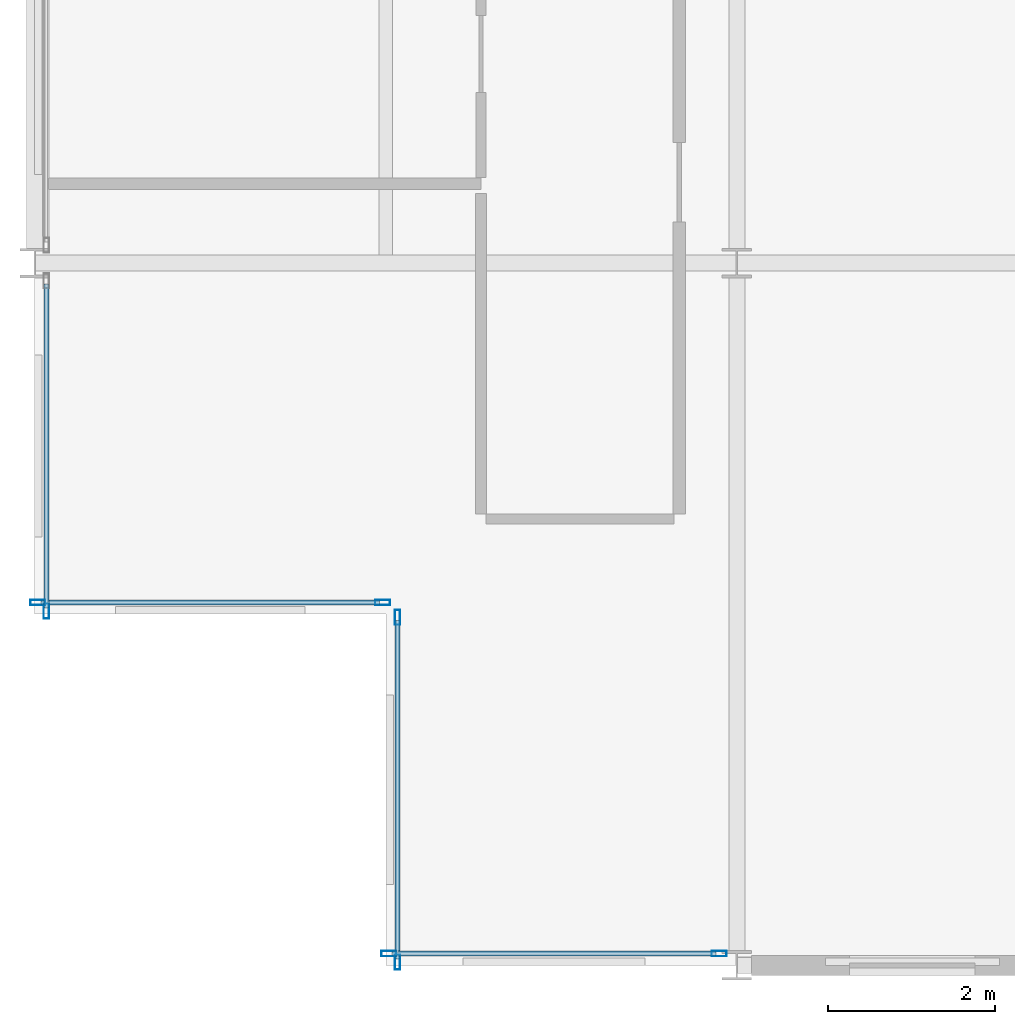
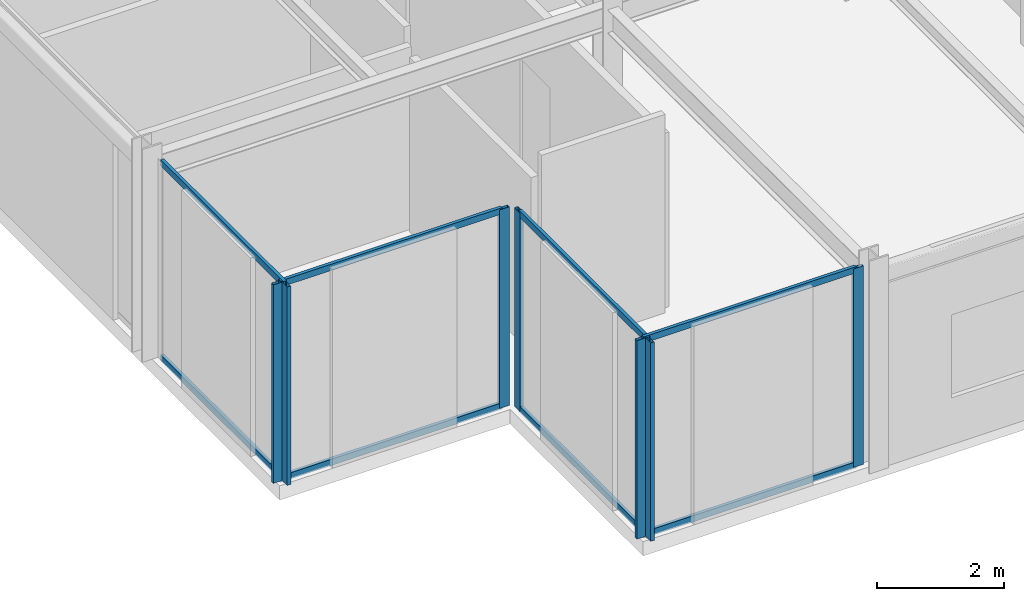
# One storey, part 2 of 25: 15 members, 4 elements without a shape of their own.
"""IFC4 building model written with IfcOpenShell, lengths in metres."""

from ifc_helpers import new_model, si_unit, direction, frame, origin, origin_2d, place, context, subcontext, project, spatial, hollow_rectangle, extrude, material, layer, layer_set, material_profile, profile_set, type_object, element, aggregate, save


model = new_model("IFC4")

# Units and contexts
model_context = context("Model", 3, precision=1e-05, world=origin(), true_north=direction((0.0, 1.0)))
body_context = subcontext(model_context, "Body", "Model", "MODEL_VIEW")
ifc_project = project(units=[si_unit("LENGTHUNIT", "METRE"), si_unit("AREAUNIT", "SQUARE_METRE"), si_unit("VOLUMEUNIT", "CUBIC_METRE"), si_unit("PLANEANGLEUNIT", "RADIAN"), si_unit("MASSUNIT", "GRAM", prefix="KILO")], contexts=[model_context])

# Site, building, storey
site_placement = place(None, origin())
site = spatial("IfcSite", under=ifc_project, at=site_placement, CompositionType="ELEMENT")
building_placement = place(site_placement, origin())
building = spatial("IfcBuilding", under=site, at=building_placement, Name="Nerrivon Quay Data Exchange", CompositionType="ELEMENT")
storey_placement = place(building_placement, frame((0.0, 0.0, 237.0)))
storey = spatial("IfcBuildingStorey", under=building, at=storey_placement, Name="L56", CompositionType="ELEMENT", Elevation=237.0)

# Curtain wall, members
ifc_material = material(Name="Anodised aluminium 6063-T6", Category="aluminium")
ifc_layer = layer(ifc_material, 0.195068359375)
ifc_layer_set = layer_set([ifc_layer], Name="Anodised aluminium 6063-T6")
curtain_wall_type = type_object("IfcCurtainWallType", Name="CW-SYS-06", PredefinedType="NOTDEFINED", material=ifc_layer_set)
curtain_wall_1_placement = place(storey_placement, origin())
curtain_wall_1 = element("IfcCurtainWall", 1, at=curtain_wall_1_placement, inside=storey, type_object=curtain_wall_type, Name="L56 Unitised Curtain Wall 8", PredefinedType="NOTDEFINED")
ifc_material_profile_1 = material_profile(ifc_material, hollow_rectangle(XDim=0.06494140625, YDim=0.179931640625, WallThickness=0.00341796875, at=origin_2d()), Name="ALU-MULL-180x65")
ifc_profile_set_1 = profile_set([ifc_material_profile_1], Name="Anodised aluminium 6063-T6")
member_type_1 = type_object("IfcMemberType", Name="CWM-180x65", PredefinedType="MULLION", material=ifc_profile_set_1)
member_1_placement = place(storey_placement, frame((8.1875, 0.139892578125, 0.0), z_axis=(0.0, 0.0, 1.0), x_axis=(0.0, -1.0, 0.0)))
member_1 = element("IfcMember", 2, at=member_1_placement, type_object=member_type_1, Name="CW06 mullion 1", PredefinedType="MULLION", context=body_context, shape_type="SweptSolid", body=[
    extrude(hollow_rectangle(XDim=0.06494140625, YDim=0.179931640625, WallThickness=0.00341796875, at=origin_2d()), origin(), (0.0, 0.0, 1.0), 3.824951171875),
])
member_2_placement = place(storey_placement, frame((4.237548828125, 0.139892578125, 0.0), z_axis=(0.0, 0.0, 1.0), x_axis=(0.0, -1.0, 0.0)))
member_2 = element("IfcMember", 3, at=member_2_placement, type_object=member_type_1, Name="CW06 mullion 2", PredefinedType="MULLION", context=body_context, shape_type="SweptSolid", body=[
    extrude(hollow_rectangle(XDim=0.06494140625, YDim=0.179931640625, WallThickness=0.00341796875, at=origin_2d()), origin(), (0.0, 0.0, 1.0), 3.824951171875),
])

curtain_wall_2_placement = place(storey_placement, origin())
curtain_wall_2 = element("IfcCurtainWall", 4, at=curtain_wall_2_placement, inside=storey, type_object=curtain_wall_type, Name="L56 Unitised Curtain Wall 9", PredefinedType="NOTDEFINED")
member_3_placement = place(storey_placement, frame((4.340087890625, 0.03759765625, 0.0), z_axis=(0.0, 0.0, 1.0), x_axis=(-1.0, 0.0, 0.0)))
member_3 = element("IfcMember", 5, at=member_3_placement, type_object=member_type_1, Name="CW06 mullion 1", PredefinedType="MULLION", context=body_context, shape_type="SweptSolid", body=[
    extrude(hollow_rectangle(XDim=0.06494140625, YDim=0.179931640625, WallThickness=0.00341796875, at=origin_2d()), origin(), (0.0, 0.0, 1.0), 3.824951171875),
])
member_4_placement = place(storey_placement, frame((4.340087890625, 4.16259765625, 0.0), z_axis=(0.0, 0.0, 1.0), x_axis=(-1.0, 0.0, 0.0)))
member_4 = element("IfcMember", 6, at=member_4_placement, type_object=member_type_1, Name="CW06 mullion 2", PredefinedType="MULLION", context=body_context, shape_type="SweptSolid", body=[
    extrude(hollow_rectangle(XDim=0.06494140625, YDim=0.179931640625, WallThickness=0.00341796875, at=origin_2d()), origin(), (0.0, 0.0, 1.0), 3.824951171875),
])

curtain_wall_3_placement = place(storey_placement, origin())
curtain_wall_3 = element("IfcCurtainWall", 7, at=curtain_wall_3_placement, inside=storey, type_object=curtain_wall_type, Name="L56 Unitised Curtain Wall 10", PredefinedType="NOTDEFINED")
member_5_placement = place(storey_placement, frame((4.16259765625, 4.340087890625, 0.0), z_axis=(0.0, 0.0, 1.0), x_axis=(0.0, -1.0, 0.0)))
member_5 = element("IfcMember", 8, at=member_5_placement, type_object=member_type_1, Name="CW06 mullion 1", PredefinedType="MULLION", context=body_context, shape_type="SweptSolid", body=[
    extrude(hollow_rectangle(XDim=0.06494140625, YDim=0.179931640625, WallThickness=0.00341796875, at=origin_2d()), origin(), (0.0, 0.0, 1.0), 3.824951171875),
])
member_6_placement = place(storey_placement, frame((0.03759765625, 4.340087890625, 0.0), z_axis=(0.0, 0.0, 1.0), x_axis=(0.0, -1.0, 0.0)))
member_6 = element("IfcMember", 9, at=member_6_placement, type_object=member_type_1, Name="CW06 mullion 2", PredefinedType="MULLION", context=body_context, shape_type="SweptSolid", body=[
    extrude(hollow_rectangle(XDim=0.06494140625, YDim=0.179931640625, WallThickness=0.00341796875, at=origin_2d()), origin(), (0.0, 0.0, 1.0), 3.824951171875),
])

# Curtain wall, member
curtain_wall_4_placement = place(storey_placement, origin())
curtain_wall_4 = element("IfcCurtainWall", 10, at=curtain_wall_4_placement, inside=storey, type_object=curtain_wall_type, Name="L56 Unitised Curtain Wall 11", PredefinedType="NOTDEFINED")
member_7_placement = place(storey_placement, frame((0.139892578125, 4.237548828125, 0.0), z_axis=(0.0, 0.0, 1.0), x_axis=(-1.0, 0.0, 0.0)))
member_7 = element("IfcMember", 11, at=member_7_placement, type_object=member_type_1, Name="CW06 mullion 1", PredefinedType="MULLION", context=body_context, shape_type="SweptSolid", body=[
    extrude(hollow_rectangle(XDim=0.06494140625, YDim=0.179931640625, WallThickness=0.00341796875, at=origin_2d()), origin(), (0.0, 0.0, 1.0), 3.824951171875),
])

# Member
ifc_material_profile_2 = material_profile(ifc_material, hollow_rectangle(XDim=0.06005859375, YDim=0.1201171875, WallThickness=0.003173828125, at=origin_2d()), Name="ALU-TRAN-120x60")
ifc_profile_set_2 = profile_set([ifc_material_profile_2], Name="Anodised aluminium 6063-T6")
member_type_2 = type_object("IfcMemberType", Name="CWT-120x60", PredefinedType="USERDEFINED", material=ifc_profile_set_2)
member_8_placement = place(storey_placement, frame((8.14990234375, 0.139892578125, 0.032470703125), z_axis=(-1.0, 0.0, 0.0), x_axis=(0.0, -1.0, 0.0)))
member_8 = element("IfcMember", 12, at=member_8_placement, type_object=member_type_2, Name="CW06 transom 1.1", ObjectType="TRANSOM", PredefinedType="USERDEFINED", context=body_context, shape_type="SweptSolid", body=[
    extrude(hollow_rectangle(XDim=0.06005859375, YDim=0.1201171875, WallThickness=0.003173828125, at=origin_2d()), origin(), (0.0, 0.0, 1.0), 3.875),
])

member_9_placement = place(storey_placement, frame((8.14990234375, 0.139892578125, 3.79248046875), z_axis=(-1.0, 0.0, 0.0), x_axis=(0.0, -1.0, 0.0)))
member_9 = element("IfcMember", 13, at=member_9_placement, type_object=member_type_2, Name="CW06 transom 1.2", ObjectType="TRANSOM", PredefinedType="USERDEFINED", context=body_context, shape_type="SweptSolid", body=[
    extrude(hollow_rectangle(XDim=0.06005859375, YDim=0.1201171875, WallThickness=0.003173828125, at=origin_2d()), origin(), (0.0, 0.0, 1.0), 3.875),
])

aggregate(curtain_wall_1, [member_1, member_2, member_8, member_9])

member_10_placement = place(storey_placement, frame((4.340087890625, 0.074951171875, 0.032470703125), z_axis=(0.0, 1.0, 0.0), x_axis=(-1.0, 0.0, 0.0)))
member_10 = element("IfcMember", 14, at=member_10_placement, type_object=member_type_2, Name="CW06 transom 1.1", ObjectType="TRANSOM", PredefinedType="USERDEFINED", context=body_context, shape_type="SweptSolid", body=[
    extrude(hollow_rectangle(XDim=0.06005859375, YDim=0.1201171875, WallThickness=0.003173828125, at=origin_2d()), origin(), (0.0, 0.0, 1.0), 4.050048828125),
])

member_11_placement = place(storey_placement, frame((4.340087890625, 0.074951171875, 3.79248046875), z_axis=(0.0, 1.0, 0.0), x_axis=(-1.0, 0.0, 0.0)))
member_11 = element("IfcMember", 15, at=member_11_placement, type_object=member_type_2, Name="CW06 transom 1.2", ObjectType="TRANSOM", PredefinedType="USERDEFINED", context=body_context, shape_type="SweptSolid", body=[
    extrude(hollow_rectangle(XDim=0.06005859375, YDim=0.1201171875, WallThickness=0.003173828125, at=origin_2d()), origin(), (0.0, 0.0, 1.0), 4.050048828125),
])

aggregate(curtain_wall_2, [member_3, member_4, member_10, member_11])

member_12_placement = place(storey_placement, frame((4.125, 4.340087890625, 0.032470703125), z_axis=(-1.0, 0.0, 0.0), x_axis=(0.0, -1.0, 0.0)))
member_12 = element("IfcMember", 16, at=member_12_placement, type_object=member_type_2, Name="CW06 transom 1.1", ObjectType="TRANSOM", PredefinedType="USERDEFINED", context=body_context, shape_type="SweptSolid", body=[
    extrude(hollow_rectangle(XDim=0.06005859375, YDim=0.1201171875, WallThickness=0.003173828125, at=origin_2d()), origin(), (0.0, 0.0, 1.0), 4.050048828125),
])

member_13_placement = place(storey_placement, frame((4.125, 4.340087890625, 3.79248046875), z_axis=(-1.0, 0.0, 0.0), x_axis=(0.0, -1.0, 0.0)))
member_13 = element("IfcMember", 17, at=member_13_placement, type_object=member_type_2, Name="CW06 transom 1.2", ObjectType="TRANSOM", PredefinedType="USERDEFINED", context=body_context, shape_type="SweptSolid", body=[
    extrude(hollow_rectangle(XDim=0.06005859375, YDim=0.1201171875, WallThickness=0.003173828125, at=origin_2d()), origin(), (0.0, 0.0, 1.0), 4.050048828125),
])

aggregate(curtain_wall_3, [member_5, member_6, member_12, member_13])

member_14_placement = place(storey_placement, frame((0.139892578125, 4.27490234375, 0.032470703125), z_axis=(0.0, 1.0, 0.0), x_axis=(-1.0, 0.0, 0.0)))
member_14 = element("IfcMember", 18, at=member_14_placement, type_object=member_type_2, Name="CW06 transom 1.1", ObjectType="TRANSOM", PredefinedType="USERDEFINED", context=body_context, shape_type="SweptSolid", body=[
    extrude(hollow_rectangle(XDim=0.06005859375, YDim=0.1201171875, WallThickness=0.003173828125, at=origin_2d()), origin(), (0.0, 0.0, 1.0), 3.875),
])

member_15_placement = place(storey_placement, frame((0.139892578125, 4.27490234375, 3.79248046875), z_axis=(0.0, 1.0, 0.0), x_axis=(-1.0, 0.0, 0.0)))
member_15 = element("IfcMember", 19, at=member_15_placement, type_object=member_type_2, Name="CW06 transom 1.2", ObjectType="TRANSOM", PredefinedType="USERDEFINED", context=body_context, shape_type="SweptSolid", body=[
    extrude(hollow_rectangle(XDim=0.06005859375, YDim=0.1201171875, WallThickness=0.003173828125, at=origin_2d()), origin(), (0.0, 0.0, 1.0), 3.875),
])

aggregate(curtain_wall_4, [member_7, member_14, member_15])

save(model, "model.ifc")
